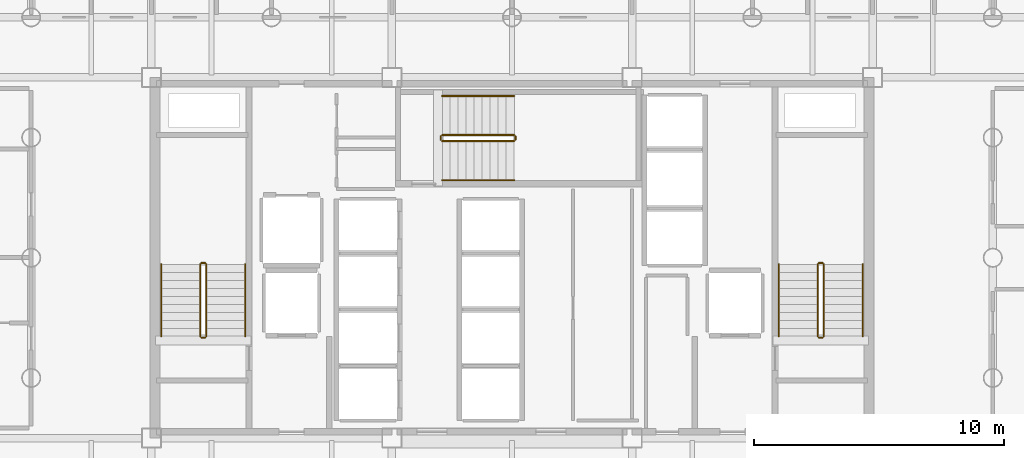
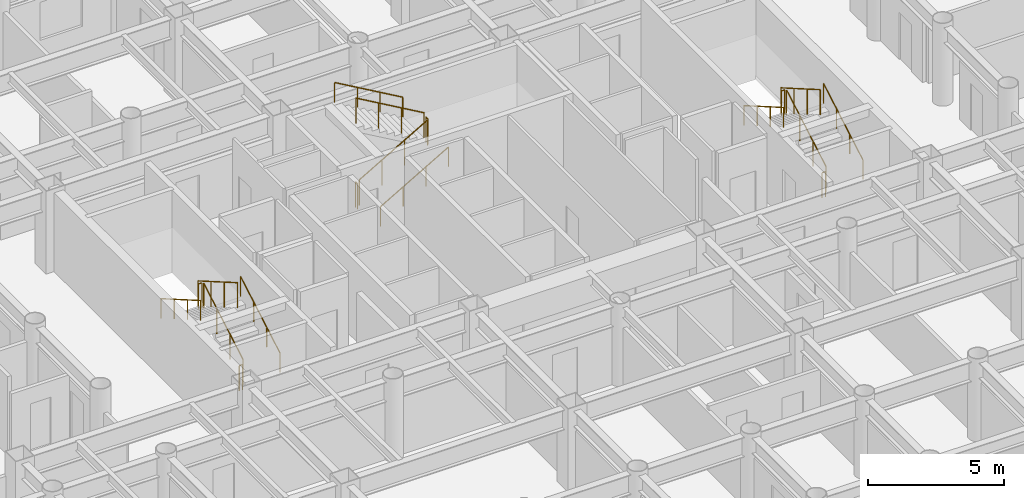
# One storey, part 20 of 20: 18 railings.
"""IFC4 building model written with IfcOpenShell, lengths in metres."""

from ifc_helpers import new_model, si_unit, direction, frame, origin, origin_2d, place, context, subcontext, project, spatial, circle, extrude, material, layer, layer_set, type_object, element, save


model = new_model("IFC4")

# Units and contexts
model_context = context("Model", 3, precision=1e-05, world=origin(), true_north=direction((0.0, 1.0)))
body_context = subcontext(model_context, "Body", "Model", "MODEL_VIEW")
ifc_project = project(units=[si_unit("LENGTHUNIT", "METRE"), si_unit("AREAUNIT", "SQUARE_METRE"), si_unit("VOLUMEUNIT", "CUBIC_METRE"), si_unit("PLANEANGLEUNIT", "RADIAN"), si_unit("MASSUNIT", "GRAM", prefix="KILO")], contexts=[model_context])

# Site, building, storey
site_placement = place(None, origin())
site = spatial("IfcSite", under=ifc_project, at=site_placement, CompositionType="ELEMENT")
building_placement = place(site_placement, origin())
building = spatial("IfcBuilding", under=site, at=building_placement, Name="Kallvorn Hotel Tower", CompositionType="ELEMENT")
storey_placement = place(building_placement, frame((0.0, 0.0, 70.699951171875)))
storey = spatial("IfcBuildingStorey", under=building, at=storey_placement, Name="L16", CompositionType="ELEMENT", Elevation=70.699951171875)

# Railings
ifc_material_1 = material(Name="Brushed stainless-steel tubular railing", Category="steel")
ifc_layer_1 = layer(ifc_material_1, 0.050048828125)
ifc_layer_set_1 = layer_set([ifc_layer_1], Name="RL_STAIR_GUARD")
railing_type_1 = type_object("IfcRailingType", Name="RL_STAIR_GUARD", PredefinedType="GUARDRAIL", material=ifc_layer_set_1)
railing_1_placement = place(storey_placement, frame((-12.2099609375, -3.139892578125, 0.18505859375)))
element("IfcRailing", 1, at=railing_1_placement, inside=storey, type_object=railing_type_1, Name="L16 ST1 stair guard 1", PredefinedType="GUARDRAIL", context=body_context, shape_type="SweptSolid", body=[
    extrude(circle(Radius=0.02392578125, at=origin_2d()), frame((0.0, 0.0, 1.1259765625), z_axis=(0.0, 0.865720918037, 0.500527014328), x_axis=(-1.0, 0.0, 0.0)), (0.0, 0.0, 1.0), 3.32666015625),
    extrude(circle(Radius=0.02099609375, at=origin_2d()), origin(), (0.0, 0.0, 1.0), 1.101806640625),
    extrude(circle(Radius=0.02099609375, at=origin_2d()), frame((0.0, 0.9599609375, 0.554931640625)), (0.0, 0.0, 1.0), 1.101806640625),
    extrude(circle(Radius=0.02099609375, at=origin_2d()), frame((0.0, 1.919921875, 1.110107421875)), (0.0, 0.0, 1.0), 1.101806640625),
    extrude(circle(Radius=0.02099609375, at=origin_2d()), frame((0.0, 2.8798828125, 1.6650390625)), (0.0, 0.0, 1.0), 1.101806640625),
])
railing_2_placement = place(storey_placement, frame((-12.260009765625, -0.2099609375, 1.85009765625)))
element("IfcRailing", 2, at=railing_2_placement, inside=storey, type_object=railing_type_1, Name="L16 ST1 stair guard 2", PredefinedType="GUARDRAIL", context=body_context, shape_type="SweptSolid", body=[
    extrude(circle(Radius=0.02392578125, at=origin_2d()), frame((0.0, 0.0, 1.1259765625), z_axis=(-1.0, 0.0, 0.0), x_axis=(0.0, -1.0, 0.0)), (0.0, 0.0, 1.0), 0.139892578125),
    extrude(circle(Radius=0.02099609375, at=origin_2d()), origin(), (0.0, 0.0, 1.0), 1.101806640625),
    extrude(circle(Radius=0.02099609375, at=origin_2d()), frame((-0.139892578125, 0.0, 0.0)), (0.0, 0.0, 1.0), 1.101806640625),
])
railing_3_placement = place(storey_placement, frame((-12.449951171875, -0.260009765625, 2.03515625)))
element("IfcRailing", 3, at=railing_3_placement, inside=storey, type_object=railing_type_1, Name="L16 ST1 stair guard 3", PredefinedType="GUARDRAIL", context=body_context, shape_type="SweptSolid", body=[
    extrude(circle(Radius=0.02392578125, at=origin_2d()), frame((0.0, 0.0, 1.1259765625), z_axis=(0.0, -0.86575271903, 0.500472006703), x_axis=(1.0, 0.0, 0.0)), (0.0, 0.0, 1.0), 3.326416015625),
    extrude(circle(Radius=0.02099609375, at=origin_2d()), origin(), (0.0, 0.0, 1.0), 1.101806640625),
    extrude(circle(Radius=0.02099609375, at=origin_2d()), frame((0.0, -0.9599609375, 0.554931640625)), (0.0, 0.0, 1.0), 1.101806640625),
    extrude(circle(Radius=0.02099609375, at=origin_2d()), frame((0.0, -1.919921875, 1.10986328125)), (0.0, 0.0, 1.0), 1.101806640625),
    extrude(circle(Radius=0.02099609375, at=origin_2d()), frame((0.0, -2.8798828125, 1.664794921875)), (0.0, 0.0, 1.0), 1.101806640625),
])
railing_4_placement = place(storey_placement, frame((-12.260009765625, -3.18994140625, 0.0)))
element("IfcRailing", 4, at=railing_4_placement, inside=storey, type_object=railing_type_1, Name="L16 ST1 stair guard 4", PredefinedType="GUARDRAIL", context=body_context, shape_type="SweptSolid", body=[
    extrude(circle(Radius=0.02392578125, at=origin_2d()), frame((0.0, 0.0, 1.1259765625), z_axis=(-1.0, 0.0, 0.0), x_axis=(0.0, -1.0, 0.0)), (0.0, 0.0, 1.0), 0.139892578125),
    extrude(circle(Radius=0.02099609375, at=origin_2d()), origin(), (0.0, 0.0, 1.0), 1.101806640625),
    extrude(circle(Radius=0.02099609375, at=origin_2d()), frame((-0.139892578125, 0.0, 0.0)), (0.0, 0.0, 1.0), 1.101806640625),
])
railing_5_placement = place(storey_placement, frame((12.449951171875, -3.139892578125, 0.18505859375)))
element("IfcRailing", 5, at=railing_5_placement, inside=storey, type_object=railing_type_1, Name="L16 ST2 stair guard 1", PredefinedType="GUARDRAIL", context=body_context, shape_type="SweptSolid", body=[
    extrude(circle(Radius=0.02392578125, at=origin_2d()), frame((0.0, 0.0, 1.1259765625), z_axis=(0.0, 0.865720918037, 0.500527014328), x_axis=(-1.0, 0.0, 0.0)), (0.0, 0.0, 1.0), 3.32666015625),
    extrude(circle(Radius=0.02099609375, at=origin_2d()), origin(), (0.0, 0.0, 1.0), 1.101806640625),
    extrude(circle(Radius=0.02099609375, at=origin_2d()), frame((0.0, 0.9599609375, 0.554931640625)), (0.0, 0.0, 1.0), 1.101806640625),
    extrude(circle(Radius=0.02099609375, at=origin_2d()), frame((0.0, 1.919921875, 1.110107421875)), (0.0, 0.0, 1.0), 1.101806640625),
    extrude(circle(Radius=0.02099609375, at=origin_2d()), frame((0.0, 2.8798828125, 1.6650390625)), (0.0, 0.0, 1.0), 1.101806640625),
])
railing_6_placement = place(storey_placement, frame((12.39990234375, -0.2099609375, 1.85009765625)))
element("IfcRailing", 6, at=railing_6_placement, inside=storey, type_object=railing_type_1, Name="L16 ST2 stair guard 2", PredefinedType="GUARDRAIL", context=body_context, shape_type="SweptSolid", body=[
    extrude(circle(Radius=0.02392578125, at=origin_2d()), frame((0.0, 0.0, 1.1259765625), z_axis=(-1.0, 0.0, 0.0), x_axis=(0.0, -1.0, 0.0)), (0.0, 0.0, 1.0), 0.139892578125),
    extrude(circle(Radius=0.02099609375, at=origin_2d()), origin(), (0.0, 0.0, 1.0), 1.101806640625),
    extrude(circle(Radius=0.02099609375, at=origin_2d()), frame((-0.139892578125, 0.0, 0.0)), (0.0, 0.0, 1.0), 1.101806640625),
])
railing_7_placement = place(storey_placement, frame((12.2099609375, -0.260009765625, 2.03515625)))
element("IfcRailing", 7, at=railing_7_placement, inside=storey, type_object=railing_type_1, Name="L16 ST2 stair guard 3", PredefinedType="GUARDRAIL", context=body_context, shape_type="SweptSolid", body=[
    extrude(circle(Radius=0.02392578125, at=origin_2d()), frame((0.0, 0.0, 1.1259765625), z_axis=(0.0, -0.86575271903, 0.500472006703), x_axis=(1.0, 0.0, 0.0)), (0.0, 0.0, 1.0), 3.326416015625),
    extrude(circle(Radius=0.02099609375, at=origin_2d()), origin(), (0.0, 0.0, 1.0), 1.101806640625),
    extrude(circle(Radius=0.02099609375, at=origin_2d()), frame((0.0, -0.9599609375, 0.554931640625)), (0.0, 0.0, 1.0), 1.101806640625),
    extrude(circle(Radius=0.02099609375, at=origin_2d()), frame((0.0, -1.919921875, 1.10986328125)), (0.0, 0.0, 1.0), 1.101806640625),
    extrude(circle(Radius=0.02099609375, at=origin_2d()), frame((0.0, -2.8798828125, 1.664794921875)), (0.0, 0.0, 1.0), 1.101806640625),
])
railing_8_placement = place(storey_placement, frame((12.39990234375, -3.18994140625, 0.0)))
element("IfcRailing", 8, at=railing_8_placement, inside=storey, type_object=railing_type_1, Name="L16 ST2 stair guard 4", PredefinedType="GUARDRAIL", context=body_context, shape_type="SweptSolid", body=[
    extrude(circle(Radius=0.02392578125, at=origin_2d()), frame((0.0, 0.0, 1.1259765625), z_axis=(-1.0, 0.0, 0.0), x_axis=(0.0, -1.0, 0.0)), (0.0, 0.0, 1.0), 0.139892578125),
    extrude(circle(Radius=0.02099609375, at=origin_2d()), origin(), (0.0, 0.0, 1.0), 1.101806640625),
    extrude(circle(Radius=0.02099609375, at=origin_2d()), frame((-0.139892578125, 0.0, 0.0)), (0.0, 0.0, 1.0), 1.101806640625),
])
railing_9_placement = place(storey_placement, frame((-2.7900390625, 4.659912109375, 0.18505859375)))
element("IfcRailing", 9, at=railing_9_placement, inside=storey, type_object=railing_type_1, Name="L16 ST3 stair guard 1", PredefinedType="GUARDRAIL", context=body_context, shape_type="SweptSolid", body=[
    extrude(circle(Radius=0.02392578125, at=origin_2d()), frame((0.0, 0.0, 1.1259765625), z_axis=(0.865739302748, 0.0, 0.50049521444), x_axis=(0.0, 1.0, 0.0)), (0.0, 0.0, 1.0), 3.326904296875),
    extrude(circle(Radius=0.02099609375, at=origin_2d()), origin(), (0.0, 0.0, 1.0), 1.101806640625),
    extrude(circle(Radius=0.02099609375, at=origin_2d()), frame((0.9599609375, 0.0, 0.554931640625)), (0.0, 0.0, 1.0), 1.101806640625),
    extrude(circle(Radius=0.02099609375, at=origin_2d()), frame((1.920166015625, 0.0, 1.110107421875)), (0.0, 0.0, 1.0), 1.101806640625),
    extrude(circle(Radius=0.02099609375, at=origin_2d()), frame((2.880126953125, 0.0, 1.6650390625)), (0.0, 0.0, 1.0), 1.101806640625),
])
railing_10_placement = place(storey_placement, frame((0.139892578125, 4.7099609375, 1.85009765625)))
element("IfcRailing", 10, at=railing_10_placement, inside=storey, type_object=railing_type_1, Name="L16 ST3 stair guard 2", PredefinedType="GUARDRAIL", context=body_context, shape_type="SweptSolid", body=[
    extrude(circle(Radius=0.02392578125, at=origin_2d()), frame((0.0, 0.0, 1.1259765625), z_axis=(0.0, 1.0, 0.0), x_axis=(-1.0, 0.0, 0.0)), (0.0, 0.0, 1.0), 0.14013671875),
    extrude(circle(Radius=0.02099609375, at=origin_2d()), origin(), (0.0, 0.0, 1.0), 1.101806640625),
    extrude(circle(Radius=0.02099609375, at=origin_2d()), frame((0.0, 0.14013671875, 0.0)), (0.0, 0.0, 1.0), 1.101806640625),
])
railing_11_placement = place(storey_placement, frame((0.090087890625, 4.89990234375, 2.03515625)))
element("IfcRailing", 11, at=railing_11_placement, inside=storey, type_object=railing_type_1, Name="L16 ST3 stair guard 3", PredefinedType="GUARDRAIL", context=body_context, shape_type="SweptSolid", body=[
    extrude(circle(Radius=0.02392578125, at=origin_2d()), frame((0.0, 0.0, 1.1259765625), z_axis=(-0.865771100375, 0.0, 0.500440207973), x_axis=(0.0, -1.0, 0.0)), (0.0, 0.0, 1.0), 3.32666015625),
    extrude(circle(Radius=0.02099609375, at=origin_2d()), origin(), (0.0, 0.0, 1.0), 1.101806640625),
    extrude(circle(Radius=0.02099609375, at=origin_2d()), frame((-0.9599609375, 0.0, 0.554931640625)), (0.0, 0.0, 1.0), 1.101806640625),
    extrude(circle(Radius=0.02099609375, at=origin_2d()), frame((-1.920166015625, 0.0, 1.10986328125)), (0.0, 0.0, 1.0), 1.101806640625),
    extrude(circle(Radius=0.02099609375, at=origin_2d()), frame((-2.880126953125, 0.0, 1.664794921875)), (0.0, 0.0, 1.0), 1.101806640625),
])
railing_12_placement = place(storey_placement, frame((-2.840087890625, 4.7099609375, 0.0)))
element("IfcRailing", 12, at=railing_12_placement, inside=storey, type_object=railing_type_1, Name="L16 ST3 stair guard 4", PredefinedType="GUARDRAIL", context=body_context, shape_type="SweptSolid", body=[
    extrude(circle(Radius=0.02392578125, at=origin_2d()), frame((0.0, 0.0, 1.1259765625), z_axis=(0.0, 1.0, 0.0), x_axis=(-1.0, 0.0, 0.0)), (0.0, 0.0, 1.0), 0.14013671875),
    extrude(circle(Radius=0.02099609375, at=origin_2d()), origin(), (0.0, 0.0, 1.0), 1.101806640625),
    extrude(circle(Radius=0.02099609375, at=origin_2d()), frame((0.0, 0.14013671875, 0.0)), (0.0, 0.0, 1.0), 1.101806640625),
])
ifc_material_2 = material(Name="Brushed stainless-steel tubular railing", Category="steel")
ifc_layer_2 = layer(ifc_material_2, 0.050048828125)
ifc_layer_set_2 = layer_set([ifc_layer_2], Name="RL_STAIR_HAND")
railing_type_2 = type_object("IfcRailingType", Name="RL_STAIR_HAND", PredefinedType="HANDRAIL", material=ifc_layer_set_2)
railing_13_placement = place(storey_placement, frame((-10.64990234375, -3.139892578125, 0.18505859375)))
element("IfcRailing", 13, at=railing_13_placement, inside=storey, type_object=railing_type_2, Name="L16 ST1 stair handrail 1", PredefinedType="HANDRAIL", context=body_context, shape_type="SweptSolid", body=[
    extrude(circle(Radius=0.02392578125, at=origin_2d()), frame((0.0, 0.0, 0.8759765625), z_axis=(0.0, 0.865720918037, 0.500527014328), x_axis=(-1.0, 0.0, 0.0)), (0.0, 0.0, 1.0), 3.32666015625),
    extrude(circle(Radius=0.02099609375, at=origin_2d()), origin(), (0.0, 0.0, 1.0), 0.851806640625),
    extrude(circle(Radius=0.02099609375, at=origin_2d()), frame((0.0, 0.9599609375, 0.554931640625)), (0.0, 0.0, 1.0), 0.851806640625),
    extrude(circle(Radius=0.02099609375, at=origin_2d()), frame((0.0, 1.919921875, 1.110107421875)), (0.0, 0.0, 1.0), 0.851806640625),
    extrude(circle(Radius=0.02099609375, at=origin_2d()), frame((0.0, 2.8798828125, 1.6650390625)), (0.0, 0.0, 1.0), 0.851806640625),
])
railing_14_placement = place(storey_placement, frame((-14.010009765625, -0.260009765625, 2.03515625)))
element("IfcRailing", 14, at=railing_14_placement, inside=storey, type_object=railing_type_2, Name="L16 ST1 stair handrail 2", PredefinedType="HANDRAIL", context=body_context, shape_type="SweptSolid", body=[
    extrude(circle(Radius=0.02392578125, at=origin_2d()), frame((0.0, 0.0, 0.8759765625), z_axis=(0.0, -0.86575271903, 0.500472006703), x_axis=(1.0, 0.0, 0.0)), (0.0, 0.0, 1.0), 3.326416015625),
    extrude(circle(Radius=0.02099609375, at=origin_2d()), origin(), (0.0, 0.0, 1.0), 0.851806640625),
    extrude(circle(Radius=0.02099609375, at=origin_2d()), frame((0.0, -0.9599609375, 0.554931640625)), (0.0, 0.0, 1.0), 0.851806640625),
    extrude(circle(Radius=0.02099609375, at=origin_2d()), frame((0.0, -1.919921875, 1.10986328125)), (0.0, 0.0, 1.0), 0.851806640625),
    extrude(circle(Radius=0.02099609375, at=origin_2d()), frame((0.0, -2.8798828125, 1.664794921875)), (0.0, 0.0, 1.0), 0.851806640625),
])
railing_15_placement = place(storey_placement, frame((14.010009765625, -3.139892578125, 0.18505859375)))
element("IfcRailing", 15, at=railing_15_placement, inside=storey, type_object=railing_type_2, Name="L16 ST2 stair handrail 1", PredefinedType="HANDRAIL", context=body_context, shape_type="SweptSolid", body=[
    extrude(circle(Radius=0.02392578125, at=origin_2d()), frame((0.0, 0.0, 0.8759765625), z_axis=(0.0, 0.865720918037, 0.500527014328), x_axis=(-1.0, 0.0, 0.0)), (0.0, 0.0, 1.0), 3.32666015625),
    extrude(circle(Radius=0.02099609375, at=origin_2d()), origin(), (0.0, 0.0, 1.0), 0.851806640625),
    extrude(circle(Radius=0.02099609375, at=origin_2d()), frame((0.0, 0.9599609375, 0.554931640625)), (0.0, 0.0, 1.0), 0.851806640625),
    extrude(circle(Radius=0.02099609375, at=origin_2d()), frame((0.0, 1.919921875, 1.110107421875)), (0.0, 0.0, 1.0), 0.851806640625),
    extrude(circle(Radius=0.02099609375, at=origin_2d()), frame((0.0, 2.8798828125, 1.6650390625)), (0.0, 0.0, 1.0), 0.851806640625),
])
railing_16_placement = place(storey_placement, frame((10.64990234375, -0.260009765625, 2.03515625)))
element("IfcRailing", 16, at=railing_16_placement, inside=storey, type_object=railing_type_2, Name="L16 ST2 stair handrail 2", PredefinedType="HANDRAIL", context=body_context, shape_type="SweptSolid", body=[
    extrude(circle(Radius=0.02392578125, at=origin_2d()), frame((0.0, 0.0, 0.8759765625), z_axis=(0.0, -0.86575271903, 0.500472006703), x_axis=(1.0, 0.0, 0.0)), (0.0, 0.0, 1.0), 3.326416015625),
    extrude(circle(Radius=0.02099609375, at=origin_2d()), origin(), (0.0, 0.0, 1.0), 0.851806640625),
    extrude(circle(Radius=0.02099609375, at=origin_2d()), frame((0.0, -0.9599609375, 0.554931640625)), (0.0, 0.0, 1.0), 0.851806640625),
    extrude(circle(Radius=0.02099609375, at=origin_2d()), frame((0.0, -1.919921875, 1.10986328125)), (0.0, 0.0, 1.0), 0.851806640625),
    extrude(circle(Radius=0.02099609375, at=origin_2d()), frame((0.0, -2.8798828125, 1.664794921875)), (0.0, 0.0, 1.0), 0.851806640625),
])
railing_17_placement = place(storey_placement, frame((-2.7900390625, 3.10009765625, 0.18505859375)))
element("IfcRailing", 17, at=railing_17_placement, inside=storey, type_object=railing_type_2, Name="L16 ST3 stair handrail 1", PredefinedType="HANDRAIL", context=body_context, shape_type="SweptSolid", body=[
    extrude(circle(Radius=0.02392578125, at=origin_2d()), frame((0.0, 0.0, 0.8759765625), z_axis=(0.865739302748, 0.0, 0.50049521444), x_axis=(0.0, 1.0, 0.0)), (0.0, 0.0, 1.0), 3.326904296875),
    extrude(circle(Radius=0.02099609375, at=origin_2d()), origin(), (0.0, 0.0, 1.0), 0.851806640625),
    extrude(circle(Radius=0.02099609375, at=origin_2d()), frame((0.9599609375, 0.0, 0.554931640625)), (0.0, 0.0, 1.0), 0.851806640625),
    extrude(circle(Radius=0.02099609375, at=origin_2d()), frame((1.920166015625, 0.0, 1.110107421875)), (0.0, 0.0, 1.0), 0.851806640625),
    extrude(circle(Radius=0.02099609375, at=origin_2d()), frame((2.880126953125, 0.0, 1.6650390625)), (0.0, 0.0, 1.0), 0.851806640625),
])
railing_18_placement = place(storey_placement, frame((0.090087890625, 6.4599609375, 2.03515625)))
element("IfcRailing", 18, at=railing_18_placement, inside=storey, type_object=railing_type_2, Name="L16 ST3 stair handrail 2", PredefinedType="HANDRAIL", context=body_context, shape_type="SweptSolid", body=[
    extrude(circle(Radius=0.02392578125, at=origin_2d()), frame((0.0, 0.0, 0.8759765625), z_axis=(-0.865771100375, 0.0, 0.500440207973), x_axis=(0.0, -1.0, 0.0)), (0.0, 0.0, 1.0), 3.32666015625),
    extrude(circle(Radius=0.02099609375, at=origin_2d()), origin(), (0.0, 0.0, 1.0), 0.851806640625),
    extrude(circle(Radius=0.02099609375, at=origin_2d()), frame((-0.9599609375, 0.0, 0.554931640625)), (0.0, 0.0, 1.0), 0.851806640625),
    extrude(circle(Radius=0.02099609375, at=origin_2d()), frame((-1.920166015625, 0.0, 1.10986328125)), (0.0, 0.0, 1.0), 0.851806640625),
    extrude(circle(Radius=0.02099609375, at=origin_2d()), frame((-2.880126953125, 0.0, 1.664794921875)), (0.0, 0.0, 1.0), 0.851806640625),
])

save(model, "model.ifc")
